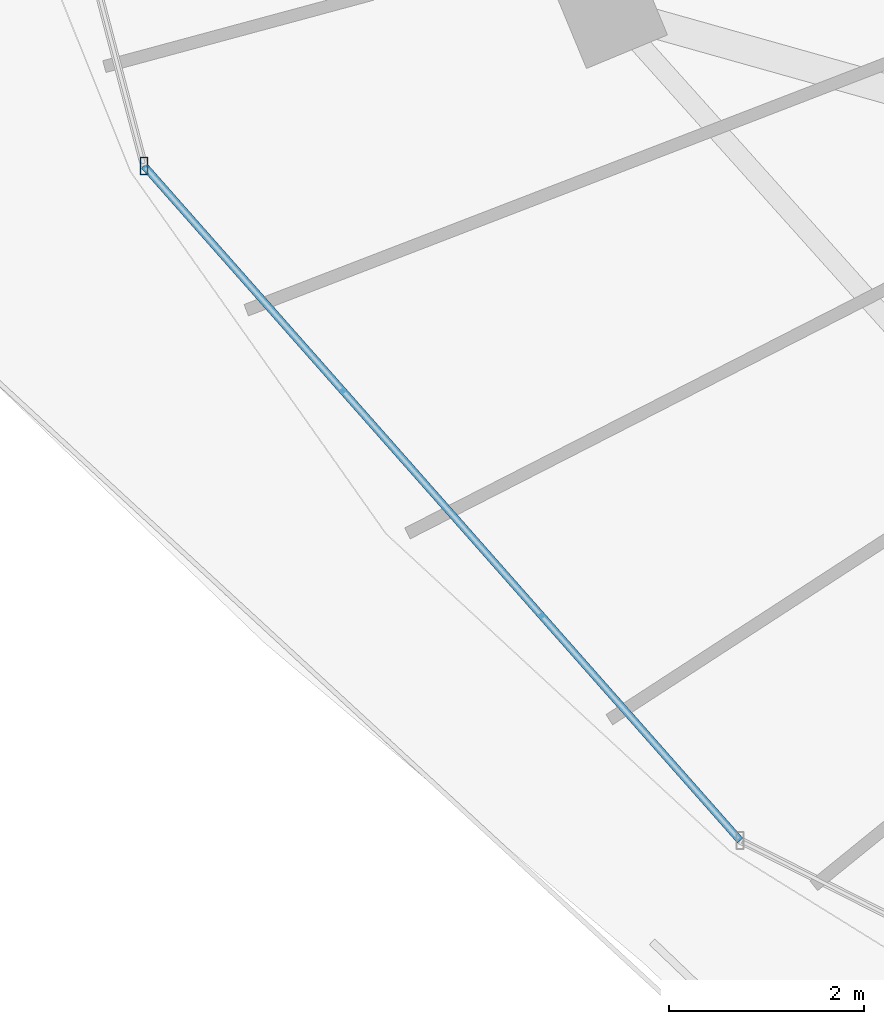
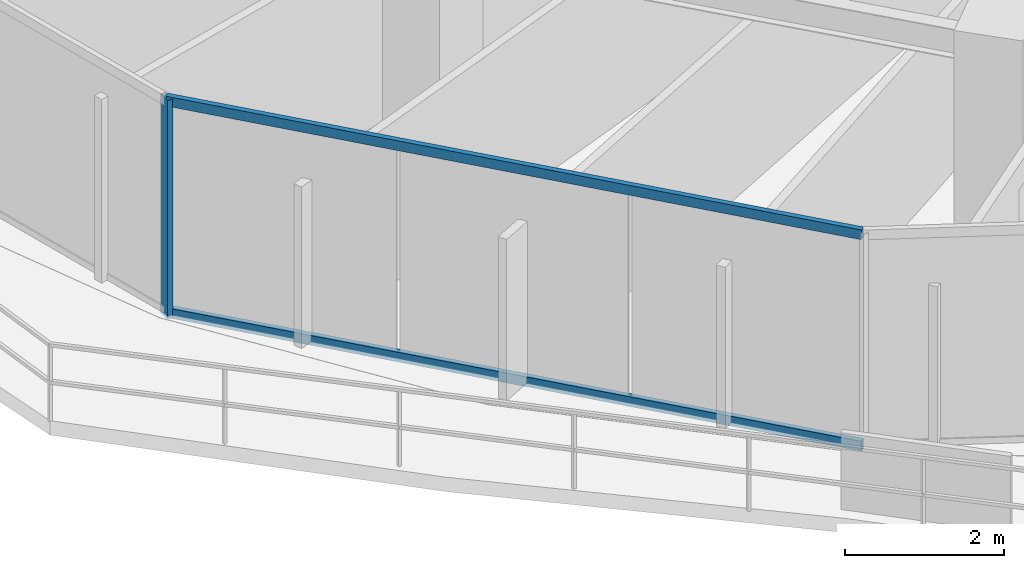
# One storey, part 3 of 33: 3 members, 1 element without a shape of its own.
"""IFC4 building model written with IfcOpenShell, lengths in metres."""

from ifc_helpers import new_model, si_unit, direction, frame, origin, origin_2d, place, context, subcontext, project, spatial, hollow_rectangle, extrude, material, material_profile, profile_set, type_object, element, aggregate, save


model = new_model("IFC4")

# Units and contexts
model_context = context("Model", 3, precision=1e-05, world=origin(), true_north=direction((0.0, 1.0)))
body_context = subcontext(model_context, "Body", "Model", "MODEL_VIEW")
ifc_project = project(units=[si_unit("LENGTHUNIT", "METRE"), si_unit("AREAUNIT", "SQUARE_METRE"), si_unit("VOLUMEUNIT", "CUBIC_METRE"), si_unit("PLANEANGLEUNIT", "RADIAN"), si_unit("MASSUNIT", "GRAM", prefix="KILO")], contexts=[model_context])

# Site, building, storey
site_placement = place(None, origin())
site = spatial("IfcSite", under=ifc_project, at=site_placement, CompositionType="ELEMENT")
building_placement = place(site_placement, origin())
building = spatial("IfcBuilding", under=site, at=building_placement, Name="Vorneva Point Tower", CompositionType="ELEMENT")
storey_placement = place(building_placement, frame((0.0, 0.0, 217.85009765625)))
storey = spatial("IfcBuildingStorey", under=building, at=storey_placement, Name="L59", CompositionType="ELEMENT", Elevation=217.85009765625)

# Curtain wall, members
ifc_material = material(Name="Pale anodised aluminium", Category="aluminium")
curtain_wall_type = type_object("IfcCurtainWallType", Name="CW-RES-SYS", PredefinedType="NOTDEFINED", material=ifc_material)
curtain_wall_placement = place(storey_placement, origin())
curtain_wall = element("IfcCurtainWall", 1, at=curtain_wall_placement, inside=storey, type_object=curtain_wall_type, Name="L59 Unitised Curtain Wall CW-L59-R02", PredefinedType="NOTDEFINED")
ifc_material_profile_1 = material_profile(ifc_material, hollow_rectangle(XDim=0.074951171875, YDim=0.179931640625, WallThickness=0.00390625, at=origin_2d()), Name="AL-MUL 180x75x4")
ifc_profile_set_1 = profile_set([ifc_material_profile_1], Name="Pale anodised aluminium")
member_type_1 = type_object("IfcMemberType", Name="CW-MUL-180", PredefinedType="MULLION", material=ifc_profile_set_1)
member_1_placement = place(storey_placement, frame((11.9189453125, 17.82958984375, -0.0400390625), z_axis=(0.0, 0.0, 1.0), x_axis=(1.0, 0.0, 0.0)))
member_1 = element("IfcMember", 2, at=member_1_placement, type_object=member_type_1, Name="CW-L59-R02 Mullion 04", PredefinedType="MULLION", context=body_context, shape_type="SweptSolid", body=[
    extrude(hollow_rectangle(XDim=0.074951171875, YDim=0.179931640625, WallThickness=0.00390625, at=origin_2d()), origin(), (0.0, 0.0, 1.0), 3.35986328125),
])
ifc_material_profile_2 = material_profile(ifc_material, hollow_rectangle(XDim=0.074951171875, YDim=0.14990234375, WallThickness=0.00390625, at=origin_2d()), Name="AL-TRN 150x75x4")
ifc_profile_set_2 = profile_set([ifc_material_profile_2], Name="Pale anodised aluminium")
member_type_2 = type_object("IfcMemberType", Name="CW-TRN-150", PredefinedType="USERDEFINED", material=ifc_profile_set_2)
member_2_placement = place(storey_placement, frame((11.9189453125, 17.82958984375, 0.02001953125), z_axis=(0.662106383869, -0.749409858782, 0.0), x_axis=(0.749409858782, 0.662106383869, 0.0)))
member_2 = element("IfcMember", 3, at=member_2_placement, type_object=member_type_2, Name="CW-L59-R02 Transom 04.1", ObjectType="TRANSOM", PredefinedType="USERDEFINED", context=body_context, shape_type="SweptSolid", body=[
    extrude(hollow_rectangle(XDim=0.074951171875, YDim=0.14990234375, WallThickness=0.00390625, at=origin_2d()), origin(), (0.0, 0.0, 1.0), 9.2421875),
])
member_3_placement = place(storey_placement, frame((11.9189453125, 17.82958984375, 3.27001953125), z_axis=(0.662106383869, -0.749409858782, 0.0), x_axis=(0.749409858782, 0.662106383869, 0.0)))
member_3 = element("IfcMember", 4, at=member_3_placement, type_object=member_type_2, Name="CW-L59-R02 Transom 04.2", ObjectType="TRANSOM", PredefinedType="USERDEFINED", context=body_context, shape_type="SweptSolid", body=[
    extrude(hollow_rectangle(XDim=0.074951171875, YDim=0.14990234375, WallThickness=0.00390625, at=origin_2d()), origin(), (0.0, 0.0, 1.0), 9.2421875),
])
aggregate(curtain_wall, [member_1, member_2, member_3])

save(model, "model.ifc")
